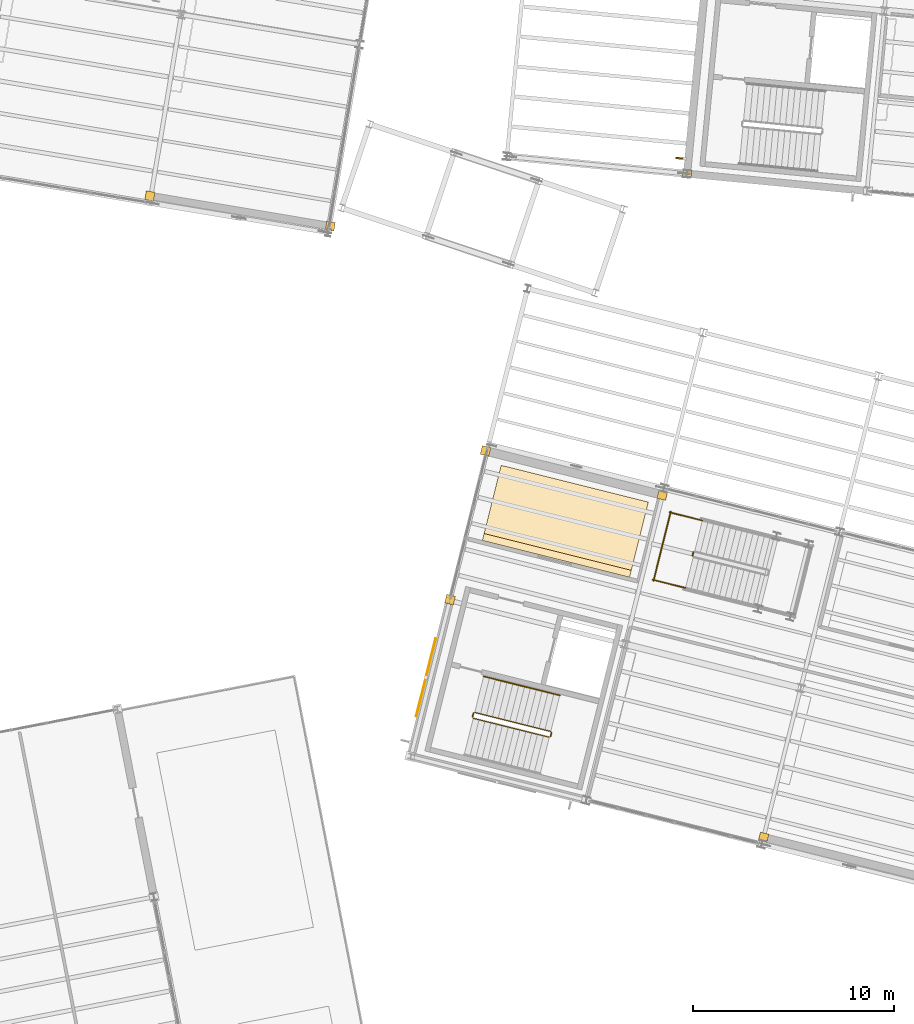
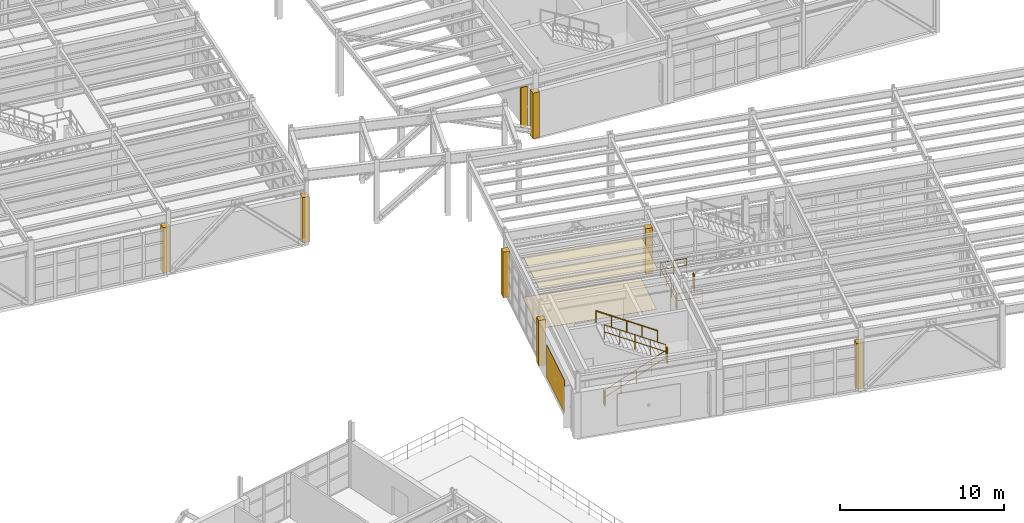
# One storey, part 103 of 109: 10 coverings, 9 railings, 1 shading device.
"""IFC4 building model written with IfcOpenShell, lengths in metres."""

from ifc_helpers import new_model, si_unit, direction, frame, origin, origin_2d, place, context, subcontext, project, spatial, polyline, rectangle, circle, outline, extrude, material, layer, layer_set, type_object, element, save


model = new_model("IFC4")

# Units and contexts
model_context = context("Model", 3, precision=1e-05, world=origin(), true_north=direction((0.0, 1.0)))
body_context = subcontext(model_context, "Body", "Model", "MODEL_VIEW")
ifc_project = project(units=[si_unit("LENGTHUNIT", "METRE"), si_unit("AREAUNIT", "SQUARE_METRE"), si_unit("VOLUMEUNIT", "CUBIC_METRE"), si_unit("PLANEANGLEUNIT", "RADIAN"), si_unit("MASSUNIT", "GRAM", prefix="KILO")], contexts=[model_context])

# Site, building, storey
site_placement = place(None, origin())
site = spatial("IfcSite", under=ifc_project, at=site_placement, CompositionType="ELEMENT")
building_placement = place(site_placement, origin())
building = spatial("IfcBuilding", under=site, at=building_placement, Name="Vireo Bluff Cable Station", CompositionType="ELEMENT")
storey_placement = place(building_placement, frame((0.0, 0.0, 4.800048828125)))
storey = spatial("IfcBuildingStorey", under=building, at=storey_placement, Name="L01", CompositionType="ELEMENT", Elevation=4.800048828125)

# Coverings
ifc_material_1 = material(Name="Perforated Acoustic Metal Ceiling")
ifc_layer_1 = layer(ifc_material_1, 0.02490234375, Name="Perforated Acoustic Metal Ceiling")
ifc_layer_set_1 = layer_set([ifc_layer_1], Name="Perforated Acoustic Metal Ceiling")
covering_type_1 = type_object("IfcCoveringType", Name="CEILING-ACOUSTIC-25", PredefinedType="CEILING", material=ifc_layer_set_1)
covering_1_placement = place(storey_placement, frame((0.0, 0.0, 3.119873046875)))
element("IfcCovering", 1, at=covering_1_placement, inside=storey, type_object=covering_type_1, Name="V1 L01 Ski Patrol Locker Room acoustic ceiling", PredefinedType="CEILING", context=body_context, shape_type="SweptSolid", body=[
    extrude(outline(polyline([(57.557373046875, 48.75390625), (64.883056640625, 46.92724609375), (65.815673828125, 50.667724609375), (58.48974609375, 52.494384765625), (57.557373046875, 48.75390625)])), origin(), (0.0, 0.0, 1.0), 0.025146484375),
])
ifc_material_2 = material(Name="Standing-Seam Titanium-Zinc Cladding")
ifc_layer_2 = layer(ifc_material_2, 0.0400390625, Name="Standing-Seam Titanium-Zinc Cladding")
ifc_layer_set_2 = layer_set([ifc_layer_2], Name="Standing-Seam Titanium-Zinc Cladding")
covering_type_2 = type_object("IfcCoveringType", Name="CLADDING-ZINC-40", PredefinedType="CLADDING", material=ifc_layer_set_2)
covering_2_placement = place(storey_placement, frame((54.749755859375, 41.9375, 0.449951171875), z_axis=(0.0, 0.0, 1.0), x_axis=(0.241921822543, 0.970295744491, 0.0)))
element("IfcCovering", 2, at=covering_2_placement, inside=storey, type_object=covering_type_2, Name="V1 L01 ribbed zinc cladding panel 4", PredefinedType="CLADDING", context=body_context, shape_type="SweptSolid", body=[
    extrude(rectangle(XDim=4.0, YDim=0.0400390625, at=origin_2d()), origin(), (0.0, 0.0, 1.0), 2.39990234375),
])
ifc_material_3 = material(Name="Precast concrete f'c 45 MPa", Category="concrete")
ifc_layer_3 = layer(ifc_material_3, 0.0400390625, Name="Precast concrete f'c 45 MPa")
ifc_layer_set_3 = layer_set([ifc_layer_3], Name="Precast concrete f'c 45 MPa")
covering_type_3 = type_object("IfcCoveringType", Name="COL-CLOSURE-WRAP", PredefinedType="CLADDING", material=ifc_layer_set_3)
for number, where, z_axis, x_axis, name in (
    (3, (71.554443359375, 33.9736328125, 0.0), (0.0, 0.0, 1.0), (0.970295726276, -0.2419218956, 0.0), "V1 L01 column pocket closure"),
    (4, (55.947509765625, 45.810791015625, 0.0), (0.0, 0.0, 1.0), (0.970295726276, -0.2419218956, 0.0), "V1 L01 column pocket closure"),
    (5, (57.71484375, 53.213134765625, 0.0), (0.0, 0.0, 1.0), (0.970295726276, -0.2419218956, 0.0), "V1 L01 column pocket closure"),
    (6, (66.514404296875, 51.019287109375, 0.0), (0.0, 0.0, 1.0), (0.970295726276, -0.2419218956, 0.0), "V1 L01 column pocket closure"),
    (7, (67.7451171875, 67.003173828125, 0.0), (0.0, 0.0, 1.0), (0.995396198367, -0.09584575252, 0.0), "V3 L01 column pocket closure"),
    (8, (49.98779296875, 64.400146484375, 0.0), (0.0, 0.0, 1.0), (0.986285601537, -0.165047605861, 0.0), "V4 L01 column pocket closure"),
    (9, (41.0126953125, 65.90185546875, 0.0), (0.0, 0.0, 1.0), (0.986285601537, -0.165047605861, 0.0), "V4 L01 column pocket closure"),
):
    element("IfcCovering", number, at=place(storey_placement, frame(where, z_axis=z_axis, x_axis=x_axis)), inside=storey, type_object=covering_type_3, Name=name, PredefinedType="CLADDING", context=body_context, shape_type="SweptSolid", body=[
        extrude(rectangle(XDim=0.43994140625, YDim=0.43994140625, at=origin_2d()), origin(), (0.0, 0.0, 1.0), 3.39990234375),
    ])
ifc_material_4 = material(Name="Polished Terrazzo Flooring")
ifc_layer_4 = layer(ifc_material_4, 0.02001953125, Name="Polished Terrazzo Flooring")
ifc_layer_set_4 = layer_set([ifc_layer_4], Name="Polished Terrazzo Flooring")
covering_type_4 = type_object("IfcCoveringType", Name="FLOORING-TERRAZZO-20", PredefinedType="FLOORING", material=ifc_layer_set_4)
covering_3_placement = place(storey_placement, origin())
element("IfcCovering", 10, at=covering_3_placement, inside=storey, type_object=covering_type_4, Name="V1 L01 Ski Patrol Locker Room terrazzo finish", PredefinedType="FLOORING", context=body_context, shape_type="SweptSolid", body=[
    extrude(outline(polyline([(57.64306640625, 49.098388671875), (64.968994140625, 47.271728515625), (65.815673828125, 50.667724609375), (58.48974609375, 52.494384765625), (57.64306640625, 49.098388671875)])), origin(), (0.0, 0.0, 1.0), 0.02001953125),
])

# Shading device
ifc_material_5 = material(Name="Extruded Terracotta Solar Fin", Category="masonry")
shading_device_type = type_object("IfcShadingDeviceType", Name="SOLARFIN-440X3000", PredefinedType="SHUTTER", material=ifc_material_5)
shading_device_placement = place(storey_placement, frame((67.405029296875, 67.771240234375, 0.349853515625), z_axis=(0.0, 0.0, 1.0), x_axis=(0.095845729484, 0.995396200585, 0.0)))
element("IfcShadingDevice", 11, at=shading_device_placement, inside=storey, type_object=shading_device_type, Name="V3 L01 solar brise-soleil fin 21", PredefinedType="SHUTTER", context=body_context, shape_type="SweptSolid", body=[
    extrude(rectangle(XDim=0.080078125, YDim=0.43994140625, at=origin_2d()), origin(), (0.0, 0.0, 1.0), 3.0),
])

# Railings
ifc_material_6 = material(Name="Stainless Steel 316", Category="steel")
railing_type_1 = type_object("IfcRailingType", Name="STAIR-GUARD-1100", PredefinedType="GUARDRAIL", material=ifc_material_6)
railing_1_placement = place(storey_placement, frame((57.103271484375, 39.90576171875, 0.17138671875)))
element("IfcRailing", 12, at=railing_1_placement, inside=storey, type_object=railing_type_1, Name="L01 ST-02 stair guard 1", PredefinedType="GUARDRAIL", context=body_context, shape_type="SweptSolid", body=[
    extrude(circle(Radius=0.02392578125, at=origin_2d()), frame((0.0, 0.0, 1.076171875), z_axis=(0.842464863979, -0.210018337704, 0.496130276026), x_axis=(0.241887473922, 0.970304307916, 0.0)), (0.0, 0.0, 1.0), 4.49169921875),
    extrude(circle(Radius=0.02392578125, at=origin_2d()), frame((0.0, 0.0, 0.550048828125), z_axis=(0.842464863979, -0.210018337704, 0.496130276026), x_axis=(0.241887473922, 0.970304307916, 0.0)), (0.0, 0.0, 1.0), 4.49169921875),
    extrude(circle(Radius=0.02099609375, at=origin_2d()), origin(), (0.0, 0.0, 1.0), 1.052001953125),
    extrude(circle(Radius=0.02099609375, at=origin_2d()), frame((0.946044921875, -0.23583984375, 0.55712890625)), (0.0, 0.0, 1.0), 1.052001953125),
    extrude(circle(Radius=0.02099609375, at=origin_2d()), frame((1.89208984375, -0.4716796875, 1.1142578125)), (0.0, 0.0, 1.0), 1.052001953125),
    extrude(circle(Radius=0.02099609375, at=origin_2d()), frame((2.838134765625, -0.70751953125, 1.67138671875)), (0.0, 0.0, 1.0), 1.052001953125),
    extrude(circle(Radius=0.02099609375, at=origin_2d()), frame((3.7841796875, -0.943359375, 2.228515625)), (0.0, 0.0, 1.0), 1.052001953125),
])
railing_2_placement = place(storey_placement, frame((60.947998046875, 38.998779296875, 2.39990234375)))
element("IfcRailing", 13, at=railing_2_placement, inside=storey, type_object=railing_type_1, Name="L01 ST-02 stair guard 2", PredefinedType="GUARDRAIL", context=body_context, shape_type="SweptSolid", body=[
    extrude(circle(Radius=0.02392578125, at=origin_2d()), frame((0.0, 0.0, 1.076171875), z_axis=(0.241673946692, 0.970357513234, 0.0), x_axis=(-0.970357513234, 0.241673946692, 0.0)), (0.0, 0.0, 1.0), 0.199951171875),
    extrude(circle(Radius=0.02392578125, at=origin_2d()), frame((0.0, 0.0, 0.550048828125), z_axis=(0.241673946692, 0.970357513234, 0.0), x_axis=(-0.970357513234, 0.241673946692, 0.0)), (0.0, 0.0, 1.0), 0.199951171875),
    extrude(circle(Radius=0.02099609375, at=origin_2d()), origin(), (0.0, 0.0, 1.0), 1.052001953125),
    extrude(circle(Radius=0.02099609375, at=origin_2d()), frame((0.04833984375, 0.194091796875, 0.0)), (0.0, 0.0, 1.0), 1.052001953125),
])
railing_3_placement = place(storey_placement, frame((60.9599609375, 39.25341796875, 2.5712890625)))
element("IfcRailing", 14, at=railing_3_placement, inside=storey, type_object=railing_type_1, Name="L01 ST-02 stair guard 3", PredefinedType="GUARDRAIL", context=body_context, shape_type="SweptSolid", body=[
    extrude(circle(Radius=0.02392578125, at=origin_2d()), frame((0.0, 0.0, 1.076171875), z_axis=(-0.842432528713, 0.210064627321, 0.496165584169), x_axis=(-0.241946410147, -0.970289613784, 0.0)), (0.0, 0.0, 1.0), 4.491943359375),
    extrude(circle(Radius=0.02392578125, at=origin_2d()), frame((0.0, 0.0, 0.550048828125), z_axis=(-0.842432528713, 0.210064627321, 0.496165584169), x_axis=(-0.241946410147, -0.970289613784, 0.0)), (0.0, 0.0, 1.0), 4.491943359375),
    extrude(circle(Radius=0.02099609375, at=origin_2d()), origin(), (0.0, 0.0, 1.0), 1.052001953125),
    extrude(circle(Radius=0.02099609375, at=origin_2d()), frame((-0.946044921875, 0.23583984375, 0.55712890625)), (0.0, 0.0, 1.0), 1.052001953125),
    extrude(circle(Radius=0.02099609375, at=origin_2d()), frame((-1.89208984375, 0.4716796875, 1.1142578125)), (0.0, 0.0, 1.0), 1.052001953125),
    extrude(circle(Radius=0.02099609375, at=origin_2d()), frame((-2.838134765625, 0.707763671875, 1.671630859375)), (0.0, 0.0, 1.0), 1.052001953125),
    extrude(circle(Radius=0.02099609375, at=origin_2d()), frame((-3.7841796875, 0.943603515625, 2.228759765625)), (0.0, 0.0, 1.0), 1.052001953125),
])
for number, where, name in (
    (15, (57.06689453125, 39.966552734375, 0.0), "L01 ST-02 stair guard 4"),
    (16, (68.01220703125, 47.98681640625, 0.0), "L01 ST-10 stair guard 7"),
):
    element("IfcRailing", number, at=place(storey_placement, frame(where)), inside=storey, type_object=railing_type_1, Name=name, PredefinedType="GUARDRAIL", context=body_context, shape_type="SweptSolid", body=[
        extrude(circle(Radius=0.02392578125, at=origin_2d()), frame((0.0, 0.0, 1.076171875), z_axis=(0.241673946692, 0.970357513234, 0.0), x_axis=(-0.970357513234, 0.241673946692, 0.0)), (0.0, 0.0, 1.0), 0.199951171875),
        extrude(circle(Radius=0.02392578125, at=origin_2d()), frame((0.0, 0.0, 0.550048828125), z_axis=(0.241673946692, 0.970357513234, 0.0), x_axis=(-0.970357513234, 0.241673946692, 0.0)), (0.0, 0.0, 1.0), 0.199951171875),
        extrude(circle(Radius=0.02099609375, at=origin_2d()), origin(), (0.0, 0.0, 1.0), 1.052001953125),
        extrude(circle(Radius=0.02099609375, at=origin_2d()), frame((0.04833984375, 0.194091796875, 0.0)), (0.0, 0.0, 1.0), 1.052001953125),
    ])
for number, where, name in (
    (17, (66.036376953125, 46.799560546875, 0.0), "L01 ST-10 stair guard 8"),
    (18, (66.873291015625, 50.15673828125, 0.0), "L01 ST-10 stair guard 9"),
):
    element("IfcRailing", number, at=place(storey_placement, frame(where)), inside=storey, type_object=railing_type_1, Name=name, PredefinedType="GUARDRAIL", context=body_context, shape_type="SweptSolid", body=[
        extrude(circle(Radius=0.02392578125, at=origin_2d()), frame((0.0, 0.0, 1.076171875), z_axis=(0.970287643911, -0.241954309887, 0.0), x_axis=(0.241954309887, 0.970287643911, 0.0)), (0.0, 0.0, 1.0), 1.679931640625),
        extrude(circle(Radius=0.02392578125, at=origin_2d()), frame((0.0, 0.0, 0.550048828125), z_axis=(0.970287643911, -0.241954309887, 0.0), x_axis=(0.241954309887, 0.970287643911, 0.0)), (0.0, 0.0, 1.0), 1.679931640625),
        extrude(circle(Radius=0.02099609375, at=origin_2d()), origin(), (0.0, 0.0, 1.0), 1.052001953125),
        extrude(circle(Radius=0.02099609375, at=origin_2d()), frame((0.81494140625, -0.203125, 0.0)), (0.0, 0.0, 1.0), 1.052001953125),
        extrude(circle(Radius=0.02099609375, at=origin_2d()), frame((1.630126953125, -0.406494140625, 0.0)), (0.0, 0.0, 1.0), 1.052001953125),
    ])
railing_4_placement = place(storey_placement, frame((66.07275390625, 46.739013671875, 0.0)))
element("IfcRailing", 19, at=railing_4_placement, inside=storey, type_object=railing_type_1, Name="L01 ST-10 stair guard 10", PredefinedType="GUARDRAIL", context=body_context, shape_type="SweptSolid", body=[
    extrude(circle(Radius=0.02392578125, at=origin_2d()), frame((0.0, 0.0, 1.076171875), z_axis=(0.241954658005, 0.970287557103, 0.0), x_axis=(-0.970287557103, 0.241954658005, 0.0)), (0.0, 0.0, 1.0), 3.559814453125),
    extrude(circle(Radius=0.02392578125, at=origin_2d()), frame((0.0, 0.0, 0.550048828125), z_axis=(0.241954658005, 0.970287557103, 0.0), x_axis=(-0.970287557103, 0.241954658005, 0.0)), (0.0, 0.0, 1.0), 3.559814453125),
    extrude(circle(Radius=0.02099609375, at=origin_2d()), origin(), (0.0, 0.0, 1.0), 1.052001953125),
    extrude(circle(Radius=0.02099609375, at=origin_2d()), frame((0.287109375, 1.1513671875, 0.0)), (0.0, 0.0, 1.0), 1.052001953125),
    extrude(circle(Radius=0.02099609375, at=origin_2d()), frame((0.57421875, 2.302734375, 0.0)), (0.0, 0.0, 1.0), 1.052001953125),
    extrude(circle(Radius=0.02099609375, at=origin_2d()), frame((0.861328125, 3.4541015625, 0.0)), (0.0, 0.0, 1.0), 1.052001953125),
])
railing_type_2 = type_object("IfcRailingType", Name="STAIR-HANDRAIL-900", PredefinedType="HANDRAIL", material=ifc_material_6)
railing_5_placement = place(storey_placement, frame((61.407470703125, 41.048583984375, 2.5712890625)))
element("IfcRailing", 20, at=railing_5_placement, inside=storey, type_object=railing_type_2, Name="L01 ST-02 stair handrail 2", PredefinedType="HANDRAIL", context=body_context, shape_type="SweptSolid", body=[
    extrude(circle(Radius=0.02392578125, at=origin_2d()), frame((0.0, 0.0, 0.8759765625), z_axis=(-0.842442145782, 0.210012674278, 0.496171248313), x_axis=(-0.241887473922, -0.970304307916, 0.0)), (0.0, 0.0, 1.0), 4.491943359375),
    extrude(circle(Radius=0.02099609375, at=origin_2d()), origin(), (0.0, 0.0, 1.0), 0.851806640625),
    extrude(circle(Radius=0.02099609375, at=origin_2d()), frame((-0.946044921875, 0.23583984375, 0.55712890625)), (0.0, 0.0, 1.0), 0.851806640625),
    extrude(circle(Radius=0.02099609375, at=origin_2d()), frame((-1.89208984375, 0.4716796875, 1.1142578125)), (0.0, 0.0, 1.0), 0.851806640625),
    extrude(circle(Radius=0.02099609375, at=origin_2d()), frame((-2.838134765625, 0.70751953125, 1.671630859375)), (0.0, 0.0, 1.0), 0.851806640625),
    extrude(circle(Radius=0.02099609375, at=origin_2d()), frame((-3.7841796875, 0.943359375, 2.228759765625)), (0.0, 0.0, 1.0), 0.851806640625),
])

save(model, "model.ifc")
